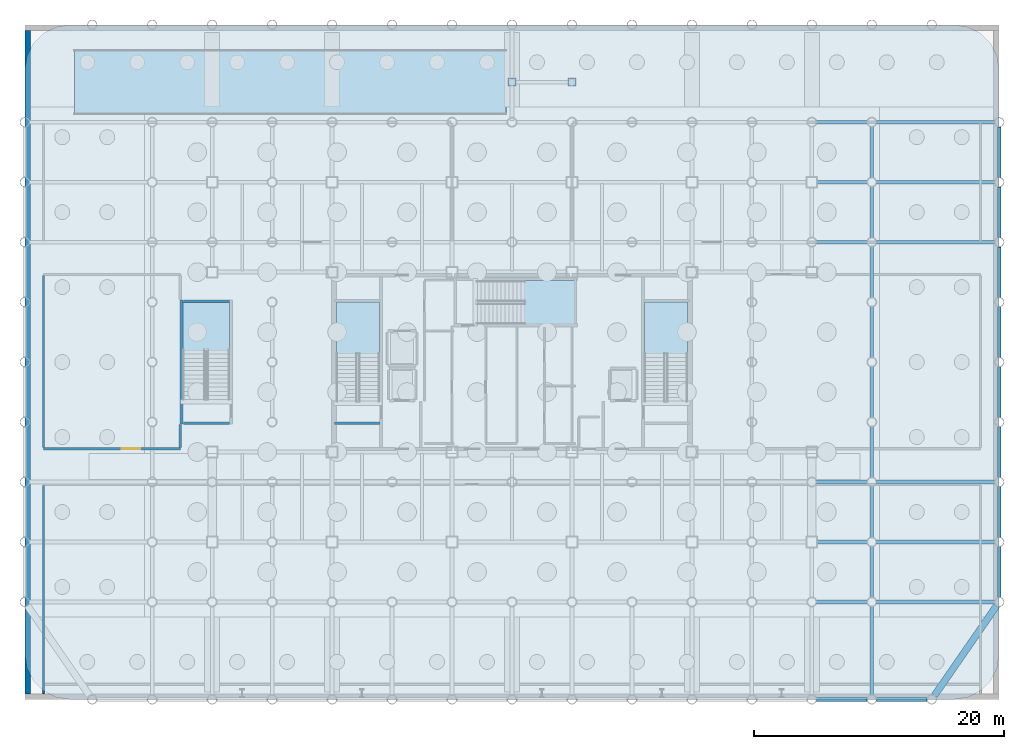
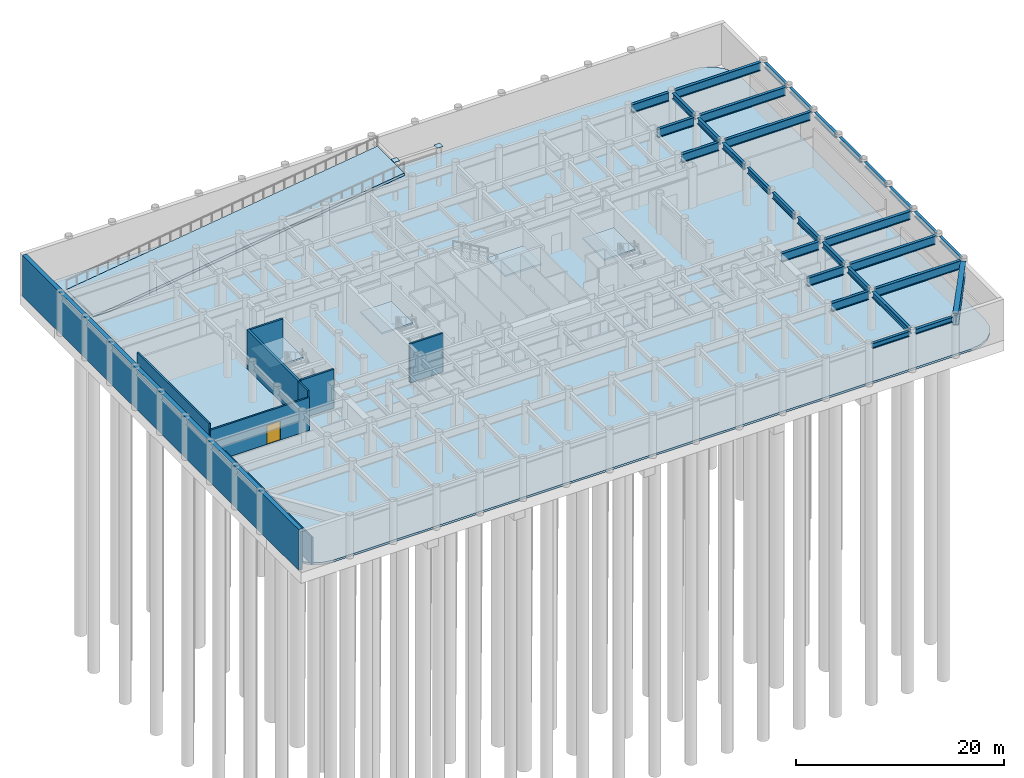
# One storey, part 8 of 17: 32 beams, 9 walls, 6 slabs, 2 plates, 1 door, 1 opening, 4 elements without a shape of their own.
"""IFC4 building model written with IfcOpenShell, lengths in metres."""

from ifc_helpers import new_model, si_unit, direction, frame, frame_2d, origin, origin_2d, place, context, subcontext, project, spatial, polyline, rectangle, i_section, outline, extrude, material, layer, layer_set, material_profile, profile_set, type_object, element, fill, aggregate, save


model = new_model("IFC4")

# Units and contexts
model_context = context("Model", 3, precision=1e-05, world=origin(), true_north=direction((0.0, 1.0)))
body_context = subcontext(model_context, "Body", "Model", "MODEL_VIEW")
ifc_project = project(units=[si_unit("LENGTHUNIT", "METRE"), si_unit("AREAUNIT", "SQUARE_METRE"), si_unit("VOLUMEUNIT", "CUBIC_METRE"), si_unit("PLANEANGLEUNIT", "RADIAN"), si_unit("MASSUNIT", "GRAM", prefix="KILO")], contexts=[model_context])

# Site, building, storey
site_placement = place(None, origin())
site = spatial("IfcSite", under=ifc_project, at=site_placement, CompositionType="ELEMENT")
building_placement = place(site_placement, origin())
building = spatial("IfcBuilding", under=site, at=building_placement, Name="Kallvorn Hotel Tower", CompositionType="ELEMENT")
storey_placement = place(building_placement, frame((0.0, 0.0, -10.199951171875)))
storey = spatial("IfcBuildingStorey", under=building, at=storey_placement, Name="B2", CompositionType="ELEMENT", Elevation=-10.199951171875)

# Beams
ifc_material_1 = material(Name="Structural steel S355JR", Category="steel")
ifc_material_profile_1 = material_profile(ifc_material_1, i_section(OverallWidth=0.300048828125, OverallDepth=1.0, WebThickness=0.01904296875, FlangeThickness=0.035888671875, at=origin_2d()), Name="HE 1000 B")
ifc_profile_set_1 = profile_set([ifc_material_profile_1], Name="Structural steel S355JR")
beam_type_1 = type_object("IfcBeamType", Name="BM_HE1000B", PredefinedType="BEAM", material=ifc_profile_set_1)
beam_1_placement = place(storey_placement, frame((24.35595703125, -19.199951171875, 4.050048828125), z_axis=(1.0, 0.0, 0.0), x_axis=(0.0, 1.0, 0.0)))
element("IfcBeam", 1, at=beam_1_placement, inside=storey, type_object=beam_type_1, Name="B1 Primary X-Girder 15", PredefinedType="BEAM", context=body_context, shape_type="SweptSolid", body=[
    extrude(i_section(OverallWidth=0.300048828125, OverallDepth=1.0, WebThickness=0.01904296875, FlangeThickness=0.035888671875, at=origin_2d()), origin(), (0.0, 0.0, 1.0), 4.088134765625),
])
beam_2_placement = place(storey_placement, frame((29.156005859375, -19.199951171875, 4.050048828125), z_axis=(1.0, 0.0, 0.0), x_axis=(0.0, 1.0, 0.0)))
element("IfcBeam", 2, at=beam_2_placement, inside=storey, type_object=beam_type_1, Name="B1 Primary X-Girder 16", PredefinedType="BEAM", context=body_context, shape_type="SweptSolid", body=[
    extrude(i_section(OverallWidth=0.300048828125, OverallDepth=1.0, WebThickness=0.01904296875, FlangeThickness=0.035888671875, at=origin_2d()), origin(), (0.0, 0.0, 1.0), 9.488037109375),
])
beam_3_placement = place(storey_placement, frame((24.425048828125, -14.39990234375, 4.050048828125), z_axis=(1.0, 0.0, 0.0), x_axis=(0.0, 1.0, 0.0)))
element("IfcBeam", 3, at=beam_3_placement, inside=storey, type_object=beam_type_1, Name="B1 Primary X-Girder 26", PredefinedType="BEAM", context=body_context, shape_type="SweptSolid", body=[
    extrude(i_section(OverallWidth=0.300048828125, OverallDepth=1.0, WebThickness=0.01904296875, FlangeThickness=0.035888671875, at=origin_2d()), origin(), (0.0, 0.0, 1.0), 4.01904296875),
])
beam_4_placement = place(storey_placement, frame((29.156005859375, -14.39990234375, 4.050048828125), z_axis=(1.0, 0.0, 0.0), x_axis=(0.0, 1.0, 0.0)))
element("IfcBeam", 4, at=beam_4_placement, inside=storey, type_object=beam_type_1, Name="B1 Primary X-Girder 27", PredefinedType="BEAM", context=body_context, shape_type="SweptSolid", body=[
    extrude(i_section(OverallWidth=0.300048828125, OverallDepth=1.0, WebThickness=0.01904296875, FlangeThickness=0.035888671875, at=origin_2d()), origin(), (0.0, 0.0, 1.0), 9.488037109375),
])
beam_5_placement = place(storey_placement, frame((24.35595703125, -9.60009765625, 4.050048828125), z_axis=(1.0, 0.0, 0.0), x_axis=(0.0, 1.0, 0.0)))
element("IfcBeam", 5, at=beam_5_placement, inside=storey, type_object=beam_type_1, Name="B1 Primary X-Girder 36", PredefinedType="BEAM", context=body_context, shape_type="SweptSolid", body=[
    extrude(i_section(OverallWidth=0.300048828125, OverallDepth=1.0, WebThickness=0.01904296875, FlangeThickness=0.035888671875, at=origin_2d()), origin(), (0.0, 0.0, 1.0), 4.088134765625),
])
beam_6_placement = place(storey_placement, frame((29.156005859375, -9.60009765625, 4.050048828125), z_axis=(1.0, 0.0, 0.0), x_axis=(0.0, 1.0, 0.0)))
element("IfcBeam", 6, at=beam_6_placement, inside=storey, type_object=beam_type_1, Name="B1 Primary X-Girder 37", PredefinedType="BEAM", context=body_context, shape_type="SweptSolid", body=[
    extrude(i_section(OverallWidth=0.300048828125, OverallDepth=1.0, WebThickness=0.01904296875, FlangeThickness=0.035888671875, at=origin_2d()), origin(), (0.0, 0.0, 1.0), 9.488037109375),
])
beam_7_placement = place(storey_placement, frame((24.35595703125, 9.60009765625, 4.050048828125), z_axis=(1.0, 0.0, 0.0), x_axis=(0.0, 1.0, 0.0)))
element("IfcBeam", 7, at=beam_7_placement, inside=storey, type_object=beam_type_1, Name="B1 Primary X-Girder 55", PredefinedType="BEAM", context=body_context, shape_type="SweptSolid", body=[
    extrude(i_section(OverallWidth=0.300048828125, OverallDepth=1.0, WebThickness=0.01904296875, FlangeThickness=0.035888671875, at=origin_2d()), origin(), (0.0, 0.0, 1.0), 4.088134765625),
])
beam_8_placement = place(storey_placement, frame((29.156005859375, 9.60009765625, 4.050048828125), z_axis=(1.0, 0.0, 0.0), x_axis=(0.0, 1.0, 0.0)))
element("IfcBeam", 8, at=beam_8_placement, inside=storey, type_object=beam_type_1, Name="B1 Primary X-Girder 56", PredefinedType="BEAM", context=body_context, shape_type="SweptSolid", body=[
    extrude(i_section(OverallWidth=0.300048828125, OverallDepth=1.0, WebThickness=0.01904296875, FlangeThickness=0.035888671875, at=origin_2d()), origin(), (0.0, 0.0, 1.0), 9.488037109375),
])
beam_9_placement = place(storey_placement, frame((24.425048828125, 14.39990234375, 4.050048828125), z_axis=(1.0, 0.0, 0.0), x_axis=(0.0, 1.0, 0.0)))
element("IfcBeam", 9, at=beam_9_placement, inside=storey, type_object=beam_type_1, Name="B1 Primary X-Girder 66", PredefinedType="BEAM", context=body_context, shape_type="SweptSolid", body=[
    extrude(i_section(OverallWidth=0.300048828125, OverallDepth=1.0, WebThickness=0.01904296875, FlangeThickness=0.035888671875, at=origin_2d()), origin(), (0.0, 0.0, 1.0), 4.01904296875),
])
beam_10_placement = place(storey_placement, frame((29.156005859375, 14.39990234375, 4.050048828125), z_axis=(1.0, 0.0, 0.0), x_axis=(0.0, 1.0, 0.0)))
element("IfcBeam", 10, at=beam_10_placement, inside=storey, type_object=beam_type_1, Name="B1 Primary X-Girder 67", PredefinedType="BEAM", context=body_context, shape_type="SweptSolid", body=[
    extrude(i_section(OverallWidth=0.300048828125, OverallDepth=1.0, WebThickness=0.01904296875, FlangeThickness=0.035888671875, at=origin_2d()), origin(), (0.0, 0.0, 1.0), 9.488037109375),
])
beam_11_placement = place(storey_placement, frame((24.35595703125, 19.199951171875, 4.050048828125), z_axis=(1.0, 0.0, 0.0), x_axis=(0.0, 1.0, 0.0)))
element("IfcBeam", 11, at=beam_11_placement, inside=storey, type_object=beam_type_1, Name="B1 Primary X-Girder 80", PredefinedType="BEAM", context=body_context, shape_type="SweptSolid", body=[
    extrude(i_section(OverallWidth=0.300048828125, OverallDepth=1.0, WebThickness=0.01904296875, FlangeThickness=0.035888671875, at=origin_2d()), origin(), (0.0, 0.0, 1.0), 4.088134765625),
])
beam_12_placement = place(storey_placement, frame((29.156005859375, 19.199951171875, 4.050048828125), z_axis=(1.0, 0.0, 0.0), x_axis=(0.0, 1.0, 0.0)))
element("IfcBeam", 12, at=beam_12_placement, inside=storey, type_object=beam_type_1, Name="B1 Primary X-Girder 81", PredefinedType="BEAM", context=body_context, shape_type="SweptSolid", body=[
    extrude(i_section(OverallWidth=0.300048828125, OverallDepth=1.0, WebThickness=0.01904296875, FlangeThickness=0.035888671875, at=origin_2d()), origin(), (0.0, 0.0, 1.0), 9.488037109375),
])
ifc_material_2 = material(Name="Structural steel S355JR", Category="steel")
ifc_material_profile_2 = material_profile(ifc_material_2, i_section(OverallWidth=0.300048828125, OverallDepth=0.60009765625, WebThickness=0.015380859375, FlangeThickness=0.030029296875, at=origin_2d()), Name="HE 600 B")
ifc_profile_set_2 = profile_set([ifc_material_profile_2], Name="Structural steel S355JR")
beam_type_2 = type_object("IfcBeamType", Name="BM_HE600B", PredefinedType="SPANDREL", material=ifc_profile_set_2)
beam_13_placement = place(storey_placement, frame((24.37109375, -27.0, 4.25), z_axis=(1.0, 0.0, 0.0), x_axis=(0.0, 1.0, 0.0)))
element("IfcBeam", 13, at=beam_13_placement, inside=storey, type_object=beam_type_2, Name="B1 Perimeter Spandrel 186", PredefinedType="SPANDREL", context=body_context, shape_type="SweptSolid", body=[
    extrude(i_section(OverallWidth=0.300048828125, OverallDepth=0.60009765625, WebThickness=0.015380859375, FlangeThickness=0.030029296875, at=origin_2d()), origin(), (0.0, 0.0, 1.0), 4.057861328125),
])
for number, where, z_axis, x_axis, name in (
    (14, (29.1708984375, -27.0, 4.25), (1.0, 0.0, 0.0), (0.0, 1.0, 0.0), "B1 Perimeter Spandrel 187"),
    (15, (39.0, -18.8291015625, 4.25), (0.0, 1.0, 0.0), (-1.0, 0.0, 0.0), "B1 Perimeter Spandrel 210"),
    (16, (39.0, -14.029052734375, 4.25), (0.0, 1.0, 0.0), (-1.0, 0.0, 0.0), "B1 Perimeter Spandrel 211"),
    (17, (39.0, -9.22900390625, 4.25), (0.0, 1.0, 0.0), (-1.0, 0.0, 0.0), "B1 Perimeter Spandrel 212"),
):
    element("IfcBeam", number, at=place(storey_placement, frame(where, z_axis=z_axis, x_axis=x_axis)), inside=storey, type_object=beam_type_2, Name=name, PredefinedType="SPANDREL", context=body_context, shape_type="SweptSolid", body=[
        extrude(i_section(OverallWidth=0.300048828125, OverallDepth=0.60009765625, WebThickness=0.015380859375, FlangeThickness=0.030029296875, at=origin_2d()), origin(), (0.0, 0.0, 1.0), 4.05810546875),
    ])
for number, where, z_axis, x_axis, name in (
    (18, (39.0, -4.428955078125, 4.25), (0.0, 1.0, 0.0), (-1.0, 0.0, 0.0), "B1 Perimeter Spandrel 213"),
    (19, (39.0, 0.37109375, 4.25), (0.0, 1.0, 0.0), (-1.0, 0.0, 0.0), "B1 Perimeter Spandrel 214"),
):
    element("IfcBeam", number, at=place(storey_placement, frame(where, z_axis=z_axis, x_axis=x_axis)), inside=storey, type_object=beam_type_2, Name=name, PredefinedType="SPANDREL", context=body_context, shape_type="SweptSolid", body=[
        extrude(i_section(OverallWidth=0.300048828125, OverallDepth=0.60009765625, WebThickness=0.015380859375, FlangeThickness=0.030029296875, at=origin_2d()), origin(), (0.0, 0.0, 1.0), 4.057861328125),
    ])
for number, where, z_axis, x_axis, name in (
    (20, (39.0, 5.1708984375, 4.25), (0.0, 1.0, 0.0), (-1.0, 0.0, 0.0), "B1 Perimeter Spandrel 215"),
    (21, (39.0, 9.970947265625, 4.25), (0.0, 1.0, 0.0), (-1.0, 0.0, 0.0), "B1 Perimeter Spandrel 216"),
    (22, (39.0, 14.77099609375, 4.25), (0.0, 1.0, 0.0), (-1.0, 0.0, 0.0), "B1 Perimeter Spandrel 217"),
):
    element("IfcBeam", number, at=place(storey_placement, frame(where, z_axis=z_axis, x_axis=x_axis)), inside=storey, type_object=beam_type_2, Name=name, PredefinedType="SPANDREL", context=body_context, shape_type="SweptSolid", body=[
        extrude(i_section(OverallWidth=0.300048828125, OverallDepth=0.60009765625, WebThickness=0.015380859375, FlangeThickness=0.030029296875, at=origin_2d()), origin(), (0.0, 0.0, 1.0), 4.05810546875),
    ])
ifc_material_3 = material(Name="Structural steel S355JR", Category="steel")
ifc_material_profile_3 = material_profile(ifc_material_3, i_section(OverallWidth=0.300048828125, OverallDepth=0.699951171875, WebThickness=0.01708984375, FlangeThickness=0.031982421875, at=origin_2d()), Name="HE 700 B")
ifc_profile_set_3 = profile_set([ifc_material_profile_3], Name="Structural steel S355JR")
beam_type_3 = type_object("IfcBeamType", Name="BM_HE700B", PredefinedType="BEAM", material=ifc_profile_set_3)
beam_14_placement = place(storey_placement, frame((28.800048828125, -26.64404296875, 4.199951171875), z_axis=(0.0, 1.0, 0.0), x_axis=(-1.0, 0.0, 0.0)))
element("IfcBeam", 23, at=beam_14_placement, inside=storey, type_object=beam_type_3, Name="B1 Primary Y-Girder 164", PredefinedType="BEAM", context=body_context, shape_type="SweptSolid", body=[
    extrude(i_section(OverallWidth=0.300048828125, OverallDepth=0.699951171875, WebThickness=0.01708984375, FlangeThickness=0.031982421875, at=origin_2d()), origin(), (0.0, 0.0, 1.0), 7.088134765625),
])
for number, where, z_axis, x_axis, name in (
    (24, (28.800048828125, -18.843994140625, 4.199951171875), (0.0, 1.0, 0.0), (-1.0, 0.0, 0.0), "B1 Primary Y-Girder 165"),
    (25, (28.800048828125, -14.0439453125, 4.199951171875), (0.0, 1.0, 0.0), (-1.0, 0.0, 0.0), "B1 Primary Y-Girder 166"),
    (26, (28.800048828125, -9.243896484375, 4.199951171875), (0.0, 1.0, 0.0), (-1.0, 0.0, 0.0), "B1 Primary Y-Girder 167"),
):
    element("IfcBeam", number, at=place(storey_placement, frame(where, z_axis=z_axis, x_axis=x_axis)), inside=storey, type_object=beam_type_3, Name=name, PredefinedType="BEAM", context=body_context, shape_type="SweptSolid", body=[
        extrude(i_section(OverallWidth=0.300048828125, OverallDepth=0.699951171875, WebThickness=0.01708984375, FlangeThickness=0.031982421875, at=origin_2d()), origin(), (0.0, 0.0, 1.0), 4.087890625),
    ])
for number, where, z_axis, x_axis, name in (
    (27, (28.800048828125, -4.444091796875, 4.199951171875), (0.0, 1.0, 0.0), (-1.0, 0.0, 0.0), "B1 Primary Y-Girder 168"),
    (28, (28.800048828125, 0.35595703125, 4.199951171875), (0.0, 1.0, 0.0), (-1.0, 0.0, 0.0), "B1 Primary Y-Girder 169"),
):
    element("IfcBeam", number, at=place(storey_placement, frame(where, z_axis=z_axis, x_axis=x_axis)), inside=storey, type_object=beam_type_3, Name=name, PredefinedType="BEAM", context=body_context, shape_type="SweptSolid", body=[
        extrude(i_section(OverallWidth=0.300048828125, OverallDepth=0.699951171875, WebThickness=0.01708984375, FlangeThickness=0.031982421875, at=origin_2d()), origin(), (0.0, 0.0, 1.0), 4.088134765625),
    ])
for number, where, z_axis, x_axis, name in (
    (29, (28.800048828125, 5.156005859375, 4.199951171875), (0.0, 1.0, 0.0), (-1.0, 0.0, 0.0), "B1 Primary Y-Girder 170"),
    (30, (28.800048828125, 9.9560546875, 4.199951171875), (0.0, 1.0, 0.0), (-1.0, 0.0, 0.0), "B1 Primary Y-Girder 171"),
    (31, (28.800048828125, 14.756103515625, 4.199951171875), (0.0, 1.0, 0.0), (-1.0, 0.0, 0.0), "B1 Primary Y-Girder 172"),
):
    element("IfcBeam", number, at=place(storey_placement, frame(where, z_axis=z_axis, x_axis=x_axis)), inside=storey, type_object=beam_type_3, Name=name, PredefinedType="BEAM", context=body_context, shape_type="SweptSolid", body=[
        extrude(i_section(OverallWidth=0.300048828125, OverallDepth=0.699951171875, WebThickness=0.01708984375, FlangeThickness=0.031982421875, at=origin_2d()), origin(), (0.0, 0.0, 1.0), 4.087890625),
    ])
ifc_material_4 = material(Name="Structural steel S355JR", Category="steel")
ifc_material_profile_4 = material_profile(ifc_material_4, i_section(OverallWidth=0.550048828125, OverallDepth=1.39990234375, WebThickness=0.02490234375, FlangeThickness=0.044921875, at=origin_2d()), Name="PG 1400x550x25x45")
ifc_profile_set_4 = profile_set([ifc_material_profile_4], Name="Structural steel S355JR")
beam_type_4 = type_object("IfcBeamType", Name="BM_PG_1400", PredefinedType="BEAM", material=ifc_profile_set_4)
beam_15_placement = place(storey_placement, frame((38.788818359375, -19.5048828125, 3.849853515625), z_axis=(-0.569188202743, -0.82220726697, 0.0), x_axis=(0.82220726697, -0.569188202743, 0.0)))
element("IfcBeam", 32, at=beam_15_placement, inside=storey, type_object=beam_type_4, Name="B1 Rounded Corner Tie Beam 220", PredefinedType="BEAM", context=body_context, shape_type="SweptSolid", body=[
    extrude(i_section(OverallWidth=0.550048828125, OverallDepth=1.39990234375, WebThickness=0.02490234375, FlangeThickness=0.044921875, at=origin_2d()), origin(), (0.0, 0.0, 1.0), 8.744873046875),
])

# Plates
ifc_material_5 = material(Name="Structural steel S355JR", Category="steel")
ifc_layer_1 = layer(ifc_material_5, 0.030029296875)
ifc_layer_set_1 = layer_set([ifc_layer_1], Name="PLT_CAP_30")
plate_type = type_object("IfcPlateType", Name="PLT_CAP_30", PredefinedType="SHEET", material=ifc_layer_set_1)
for number, where, z_axis, x_axis, name in (
    (33, (0.0, 22.39990234375, 4.5498046875), (0.0, 0.0, 1.0), (1.0, 0.0, 0.0), "B2 Ramp Column Top Cap Plate W"),
    (34, (4.800048828125, 22.39990234375, 4.5498046875), (0.0, 0.0, 1.0), (1.0, 0.0, 0.0), "B2 Ramp Column Top Cap Plate E"),
):
    element("IfcPlate", number, at=place(storey_placement, frame(where, z_axis=z_axis, x_axis=x_axis)), inside=storey, type_object=plate_type, Name=name, PredefinedType="SHEET", context=body_context, shape_type="SweptSolid", body=[
        extrude(rectangle(XDim=0.639892578125, YDim=0.639892578125, at=origin_2d()), origin(), (0.0, 0.0, 1.0), 0.030029296875),
    ])

# Slab
ifc_material_6 = material(Name="Concrete C40/50", Category="concrete")
ifc_layer_2 = layer(ifc_material_6, 0.25)
ifc_layer_set_2 = layer_set([ifc_layer_2], Name="SLB_BASE_250")
slab_type_1 = type_object("IfcSlabType", Name="SLB_BASE_250", PredefinedType="BASESLAB", material=ifc_layer_set_2)
slab_1_placement = place(storey_placement, frame((0.0, 0.0, -0.25)))
element("IfcSlab", 35, at=slab_1_placement, inside=storey, type_object=slab_type_1, Name="B2 Structural Base Slab", PredefinedType="BASESLAB", context=body_context, shape_type="SweptSolid", body=[
    extrude(outline(polyline([(35.39990234375, -27.0), (36.512451171875, -26.82373046875), (37.51611328125, -26.3125), (38.3125, -25.51611328125), (38.82373046875, -24.512451171875), (39.0, -23.39990234375), (39.0, 23.39990234375), (38.82373046875, 24.512451171875), (38.3125, 25.51611328125), (37.51611328125, 26.3125), (36.512451171875, 26.82373046875), (35.39990234375, 27.0), (-35.39990234375, 27.0), (-36.512451171875, 26.82373046875), (-37.51611328125, 26.3125), (-38.3125, 25.51611328125), (-38.82373046875, 24.512451171875), (-39.0, 23.39990234375), (-39.0, -23.39990234375), (-38.82373046875, -24.512451171875), (-38.3125, -25.51611328125), (-37.51611328125, -26.3125), (-36.512451171875, -26.82373046875), (-35.39990234375, -27.0), (35.39990234375, -27.0)])), origin(), (0.0, 0.0, 1.0), 0.25),
])

# Stair, slab
ifc_material_7 = material(Name="Precast concrete C40/50", Category="concrete")
stair_type_1 = type_object("IfcStairType", Name="STR_CORE_DOGLEG", PredefinedType="HALF_TURN_STAIR", material=ifc_material_7)
stair_1_placement = place(storey_placement, origin())
stair_1 = element("IfcStair", 36, at=stair_1_placement, inside=storey, type_object=stair_type_1, Name="B2 Exit stair ST1", PredefinedType="HALF_TURN_STAIR")
ifc_material_8 = material(Name="Precast concrete C40/50", Category="concrete")
ifc_layer_3 = layer(ifc_material_8, 0.179931640625)
ifc_layer_set_3 = layer_set([ifc_layer_3], Name="SLB_LANDING_180")
slab_type_2 = type_object("IfcSlabType", Name="SLB_LANDING_180", PredefinedType="LANDING", material=ifc_layer_set_3)
slab_2_placement = place(storey_placement, frame((0.0, 0.0, 2.199951171875)))
slab_2 = element("IfcSlab", 37, at=slab_2_placement, type_object=slab_type_2, Name="ST1 landing 1", PredefinedType="LANDING", context=body_context, shape_type="SweptSolid", body=[
    extrude(outline(polyline([(-10.60009765625, 0.64990234375), (-10.60009765625, 4.800048828125), (-14.06005859375, 4.800048828125), (-14.06005859375, 0.64990234375), (-10.60009765625, 0.64990234375)])), origin(), (0.0, 0.0, 1.0), 0.199951171875),
])
aggregate(stair_1, [slab_2])

stair_2_placement = place(storey_placement, origin())
stair_2 = element("IfcStair", 38, at=stair_2_placement, inside=storey, type_object=stair_type_1, Name="B2 Exit stair ST2", PredefinedType="HALF_TURN_STAIR")
slab_3_placement = place(storey_placement, frame((0.0, 0.0, 2.199951171875)))
slab_3 = element("IfcSlab", 39, at=slab_3_placement, type_object=slab_type_2, Name="ST2 landing 1", PredefinedType="LANDING", context=body_context, shape_type="SweptSolid", body=[
    extrude(outline(polyline([(14.06005859375, 0.64990234375), (14.06005859375, 4.800048828125), (10.60009765625, 4.800048828125), (10.60009765625, 0.64990234375), (14.06005859375, 0.64990234375)])), origin(), (0.0, 0.0, 1.0), 0.199951171875),
])
aggregate(stair_2, [slab_3])

stair_3_placement = place(storey_placement, origin())
stair_3 = element("IfcStair", 40, at=stair_3_placement, inside=storey, type_object=stair_type_1, Name="B2 Exit stair ST3", PredefinedType="HALF_TURN_STAIR")
slab_4_placement = place(storey_placement, frame((0.0, 0.0, 2.199951171875)))
slab_4 = element("IfcSlab", 41, at=slab_4_placement, type_object=slab_type_2, Name="ST3 landing 1", PredefinedType="LANDING", context=body_context, shape_type="SweptSolid", body=[
    extrude(outline(polyline([(1.0, 3.050048828125), (5.050048828125, 3.050048828125), (5.050048828125, 6.510009765625), (1.0, 6.510009765625), (1.0, 3.050048828125)])), origin(), (0.0, 0.0, 1.0), 0.199951171875),
])
aggregate(stair_3, [slab_4])

ifc_material_9 = material(Name="Precast concrete C40/50", Category="concrete")
stair_type_2 = type_object("IfcStairType", Name="STR_POD_DOGLEG", PredefinedType="HALF_TURN_STAIR", material=ifc_material_9)
stair_4_placement = place(storey_placement, origin())
stair_4 = element("IfcStair", 42, at=stair_4_placement, inside=storey, type_object=stair_type_2, Name="B2 Exit stair ST4", PredefinedType="HALF_TURN_STAIR")
slab_5_placement = place(storey_placement, frame((0.0, 0.0, 2.199951171875)))
slab_5 = element("IfcSlab", 43, at=slab_5_placement, type_object=slab_type_2, Name="ST4 landing 1", PredefinedType="LANDING", context=body_context, shape_type="SweptSolid", body=[
    extrude(outline(polyline([(-22.60009765625, 0.909912109375), (-22.60009765625, 4.800048828125), (-26.340087890625, 4.800048828125), (-26.340087890625, 0.909912109375), (-22.60009765625, 0.909912109375)])), origin(), (0.0, 0.0, 1.0), 0.199951171875),
])
aggregate(stair_4, [slab_5])

# Slab
ifc_material_10 = material(Name="Concrete C40/50", Category="concrete")
ifc_layer_4 = layer(ifc_material_10, 0.300048828125)
ifc_layer_set_4 = layer_set([ifc_layer_4], Name="SLB_RAMP_300 Concrete C40/50")
slab_type_3 = type_object("IfcSlabType", Name="SLB_RAMP_300 Concrete C40/50", PredefinedType="USERDEFINED", material=ifc_layer_set_4)
slab_6_placement = place(storey_placement, frame((-35.0, 19.800048828125, 0.050048828125), z_axis=(-0.136394474662, 0.0, 0.990654605441), x_axis=(0.990654605441, 0.0, 0.136394474662)))
element("IfcSlab", 44, at=slab_6_placement, inside=storey, type_object=slab_type_3, Name="Car park vehicle ramp RAMP-B2-B1", ObjectType="VEHICLE RAMP", PredefinedType="USERDEFINED", context=body_context, shape_type="SweptSolid", body=[
    extrude(outline(polyline([(0.0, 0.0), (34.82545764236272, 0.0), (34.82545764236272, 5.199951171874999), (0.0, 5.199951171874999), (0.0, 0.0)])), origin(), (0.0, 0.0, -1.0), 0.300048828125),
])

# Wall, opening, door
ifc_material_11 = material(Name="Fire-rated double-layer acoustic gypsum drywall EI 60")
ifc_layer_5 = layer(ifc_material_11, 0.179931640625)
ifc_layer_set_5 = layer_set([ifc_layer_5], Name="WL_CORR_180")
wall_type_1 = type_object("IfcWallType", Name="WL_CORR_180", PredefinedType="PARTITIONING", material=ifc_layer_set_5)
wall_1_placement = place(storey_placement, frame((-37.5, -6.933349609375, 0.0), z_axis=(0.0, 0.0, 1.0), x_axis=(1.0, 0.0, 0.0)))
wall_1 = element("IfcWall", 45, at=wall_1_placement, inside=storey, type_object=wall_type_1, Name="B2 Central Chiller and Heat-Recovery Plant Room Partition", PredefinedType="PARTITIONING", context=body_context, shape_type="SweptSolid", body=[
    extrude(rectangle(XDim=10.949951171875, YDim=0.179931640625, at=frame_2d((5.47509765625, 0.0))), origin(), (0.0, 0.0, 1.0), 3.849853515625),
])
opening_placement = place(wall_1_placement, frame((6.25, 0.0, 0.0)))
opening = element("IfcOpeningElement", 46, at=opening_placement, cuts=wall_1, Name="Opening PD1", PredefinedType="OPENING", context=body_context, shape_type="SweptSolid", body=[
    extrude(rectangle(XDim=1.5, YDim=2.199951171875, at=frame_2d((0.75, 1.10009765625))), frame((0.0, 0.104736328125, 0.0), z_axis=(0.0, -1.0, 0.0), x_axis=(1.0, 0.0, 0.0)), (0.0, 0.0, 1.0), 0.2099609375),
])
ifc_material_12 = material(Name="Galvanised painted steel fire-rated door assembly", Category="steel")
door_type = type_object("IfcDoorType", Name="DR_PLANT_1500x2200", OperationType="DOUBLE_DOOR_SINGLE_SWING", PredefinedType="DOOR", material=ifc_material_12)
door_placement = place(opening_placement, origin())
door = element("IfcDoor", 47, at=door_placement, inside=storey, type_object=door_type, Name="B2 Central Chiller and Heat-Recovery Plant Room Door", OperationType="DOUBLE_DOOR_SINGLE_SWING", OverallHeight=2.199951171875, OverallWidth=1.5, PredefinedType="DOOR", context=body_context, shape_type="SweptSolid", body=[
    extrude(rectangle(XDim=1.5, YDim=2.199951171875, at=frame_2d((0.75, 1.10009765625))), frame((0.0, 0.02490234375, 0.0), z_axis=(0.0, -1.0, 0.0), x_axis=(1.0, 0.0, 0.0)), (0.0, 0.0, 1.0), 0.050048828125),
])
fill(opening, door)

# Walls
wall_2_placement = place(storey_placement, frame((-37.5, -6.848388671875, 0.0), z_axis=(0.0, 0.0, 1.0), x_axis=(0.0, 1.0, 0.0)))
element("IfcWall", 48, at=wall_2_placement, inside=storey, type_object=wall_type_1, Name="B2 Central Chiller and Heat-Recovery Plant Room Partition", PredefinedType="PARTITIONING", context=body_context, shape_type="SweptSolid", body=[
    extrude(rectangle(XDim=13.763427734375, YDim=0.179931640625, at=frame_2d((6.8818359375, 0.0))), origin(), (0.0, 0.0, 1.0), 4.550048828125),
])
wall_3_placement = place(storey_placement, frame((-26.550048828125, -6.848388671875, 0.0), z_axis=(0.0, 0.0, 1.0), x_axis=(0.0, 1.0, 0.0)))
element("IfcWall", 49, at=wall_3_placement, inside=storey, type_object=wall_type_1, Name="B2 Central Chiller and Heat-Recovery Plant Room Partition", PredefinedType="PARTITIONING", context=body_context, shape_type="SweptSolid", body=[
    extrude(rectangle(XDim=1.848388671875, YDim=0.179931640625, at=frame_2d((0.92431640625, 0.0))), origin(), (0.0, 0.0, 1.0), 4.550048828125),
])
ifc_material_13 = material(Name="Concrete C40/50", Category="concrete")
ifc_layer_6 = layer(ifc_material_13, 0.199951171875)
ifc_layer_set_6 = layer_set([ifc_layer_6], Name="WL_HOIST_200")
wall_type_2 = type_object("IfcWallType", Name="WL_HOIST_200", PredefinedType="SOLIDWALL", material=ifc_layer_set_6)
wall_4_placement = place(storey_placement, frame((-14.199951171875, -4.89990234375, -0.25), z_axis=(0.0, 0.0, 1.0), x_axis=(1.0, 0.0, 0.0)))
element("IfcWall", 50, at=wall_4_placement, inside=storey, type_object=wall_type_2, Name="B2 Stair ST1 South Wall", PredefinedType="SOLIDWALL", context=body_context, shape_type="SweptSolid", body=[
    extrude(rectangle(XDim=3.64990234375, YDim=0.199951171875, at=frame_2d((1.824951171875, 0.0))), origin(), (0.0, 0.0, 1.0), 4.800048828125),
])
for number, where, z_axis, x_axis, name in (
    (51, (-26.31005859375, -4.8798828125, -0.25), (0.0, 0.0, 1.0), (1.0, 0.0, 0.0), "B2 Podium Exit Stair ST4 South Wall"),
    (52, (-26.31005859375, 4.8798828125, -0.25), (0.0, 0.0, 1.0), (1.0, 0.0, 0.0), "B2 Podium Exit Stair ST4 North Wall"),
):
    element("IfcWall", number, at=place(storey_placement, frame(where, z_axis=z_axis, x_axis=x_axis)), inside=storey, type_object=wall_type_2, Name=name, PredefinedType="SOLIDWALL", context=body_context, shape_type="SweptSolid", body=[
        extrude(rectangle(XDim=3.68017578125, YDim=0.199951171875, at=frame_2d((1.840087890625, 0.0))), origin(), (0.0, 0.0, 1.0), 4.800048828125),
    ])
ifc_material_14 = material(Name="Fire-rated double-layer acoustic gypsum drywall EI 60")
ifc_layer_7 = layer(ifc_material_14, 0.14990234375)
ifc_layer_set_7 = layer_set([ifc_layer_7], Name="WL_PART_150")
wall_type_3 = type_object("IfcWallType", Name="WL_PART_150", PredefinedType="PARTITIONING", material=ifc_layer_set_7)
wall_5_placement = place(storey_placement, frame((-37.5, -26.5400390625, 0.0), z_axis=(0.0, 0.0, 1.0), x_axis=(0.0, 1.0, 0.0)))
element("IfcWall", 53, at=wall_5_placement, inside=storey, type_object=wall_type_3, Name="B2 Basement Two-Way Loop Car Park Deck Partition", PredefinedType="PARTITIONING", context=body_context, shape_type="SweptSolid", body=[
    extrude(rectangle(XDim=16.655029296875, YDim=0.14990234375, at=frame_2d((8.32763671875, 0.0))), origin(), (0.0, 0.0, 1.0), 3.14990234375),
])
ifc_material_15 = material(Name="Concrete C40/50", Category="concrete")
ifc_layer_8 = layer(ifc_material_15, 0.449951171875)
ifc_layer_set_8 = layer_set([ifc_layer_8], Name="WL_RET_450")
wall_type_4 = type_object("IfcWallType", Name="WL_RET_450", PredefinedType="SOLIDWALL", material=ifc_layer_set_8)
wall_6_placement = place(storey_placement, frame((-38.77490234375, 26.550048828125, -0.25), z_axis=(0.0, 0.0, 1.0), x_axis=(0.0, -1.0, 0.0)))
element("IfcWall", 54, at=wall_6_placement, inside=storey, type_object=wall_type_4, Name="B2 Perimeter Retaining Wall W", PredefinedType="SOLIDWALL", context=body_context, shape_type="SweptSolid", body=[
    extrude(rectangle(XDim=53.10009765625, YDim=0.449951171875, at=frame_2d((26.550048828125, 0.0))), origin(), (0.0, 0.0, 1.0), 4.800048828125),
])
ifc_material_16 = material(Name="Concrete C40/50", Category="concrete")
ifc_layer_9 = layer(ifc_material_16, 0.25)
ifc_layer_set_9 = layer_set([ifc_layer_9], Name="WL_SHAFT_250")
wall_type_5 = type_object("IfcWallType", Name="WL_SHAFT_250", PredefinedType="SOLIDWALL", material=ifc_layer_set_9)
wall_7_placement = place(storey_placement, frame((-26.43994140625, -4.9599609375, -0.25), z_axis=(0.0, 0.0, 1.0), x_axis=(0.0, 1.0, 0.0)))
element("IfcWall", 55, at=wall_7_placement, inside=storey, type_object=wall_type_5, Name="B2 Podium Exit Stair ST4 West Wall", PredefinedType="SOLIDWALL", context=body_context, shape_type="SweptSolid", body=[
    extrude(rectangle(XDim=9.919921875, YDim=0.25, at=frame_2d((4.9599609375, 0.0))), origin(), (0.0, 0.0, 1.0), 4.800048828125),
])

save(model, "model.ifc")
